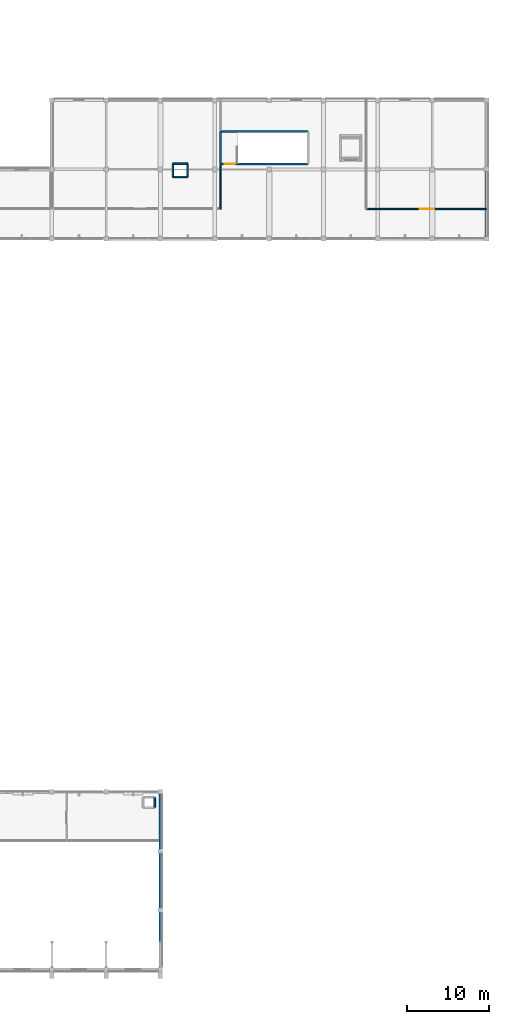
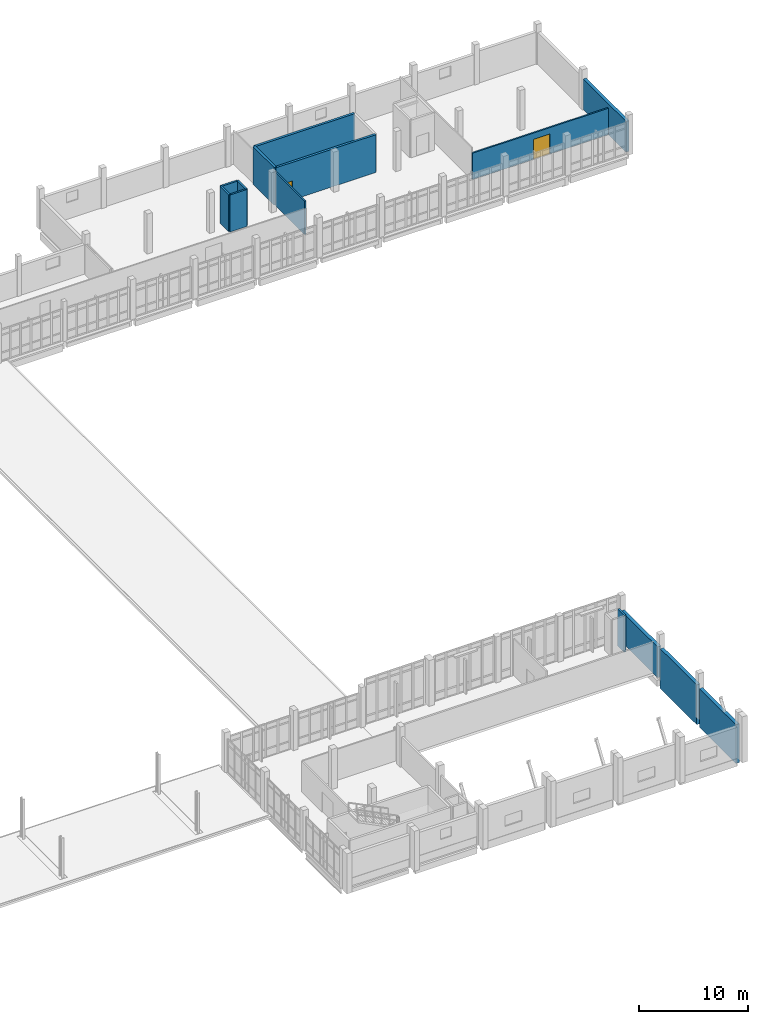
# One storey, part 119 of 134: 14 walls, 2 doors, 2 openings.
"""IFC4 building model written with IfcOpenShell, lengths in metres."""

from ifc_helpers import new_model, si_unit, direction, frame, frame_2d, origin, place, context, subcontext, project, spatial, rectangle, extrude, material, layer, layer_set, type_object, element, fill, save


model = new_model("IFC4")

# Units and contexts
model_context = context("Model", 3, precision=1e-05, world=origin(), true_north=direction((0.0, 1.0)))
body_context = subcontext(model_context, "Body", "Model", "MODEL_VIEW")
ifc_project = project(units=[si_unit("LENGTHUNIT", "METRE"), si_unit("AREAUNIT", "SQUARE_METRE"), si_unit("VOLUMEUNIT", "CUBIC_METRE"), si_unit("PLANEANGLEUNIT", "RADIAN"), si_unit("MASSUNIT", "GRAM", prefix="KILO")], contexts=[model_context])

# Site, building, storey
site_placement = place(None, origin())
site = spatial("IfcSite", under=ifc_project, at=site_placement, CompositionType="ELEMENT")
building_placement = place(site_placement, origin())
building = spatial("IfcBuilding", under=site, at=building_placement, Name="Kalluvel Institute of Natural Sciences", CompositionType="ELEMENT")
storey_placement = place(building_placement, frame((0.0, 0.0, 5.39990234375)))
storey = spatial("IfcBuildingStorey", under=building, at=storey_placement, Name="L01", CompositionType="ELEMENT", Elevation=5.39990234375)

# Wall, opening, door
ifc_material_1 = material(Name="Concrete M40", Category="concrete")
ifc_layer_1 = layer(ifc_material_1, 0.25)
ifc_layer_set_1 = layer_set([ifc_layer_1], Name="Concrete M40")
wall_type_1 = type_object("IfcWallType", Name="WL-CORE-250", PredefinedType="SHEAR", material=ifc_layer_set_1)
wall_1_placement = place(storey_placement, frame((149.68505859375, 111.885009765625, 0.0), z_axis=(0.0, 0.0, 1.0), x_axis=(1.0, 0.0, 0.0)))
wall_1 = element("IfcWall", 1, at=wall_1_placement, inside=storey, type_object=wall_type_1, Name="ST5 L01 core wall S", PredefinedType="SHEAR", context=body_context, shape_type="SweptSolid", body=[
    extrude(rectangle(XDim=10.6298828125, YDim=0.25, at=frame_2d((5.31494140625, 0.0))), origin(), (0.0, 0.0, 1.0), 4.235107421875),
])
opening_1_placement = place(wall_1_placement, frame((0.550048828125, 0.0, 0.0)))
opening_1 = element("IfcOpeningElement", 2, at=opening_1_placement, cuts=wall_1, Name="Opening DS-045", PredefinedType="OPENING", context=body_context, shape_type="SweptSolid", body=[
    extrude(rectangle(XDim=1.199951171875, YDim=2.14990234375, at=frame_2d((0.60009765625, 1.074951171875))), frame((0.0, 0.135009765625, 0.0), z_axis=(0.0, -1.0, 0.0), x_axis=(1.0, 0.0, 0.0)), (0.0, 0.0, 1.0), 0.27001953125),
])
ifc_material_2 = material(Name="Galvanized Fire-Rated Steel", Category="steel")
door_type_1 = type_object("IfcDoorType", Name="DR-ST-1200", OperationType="NOTDEFINED", PredefinedType="DOOR", material=ifc_material_2)
door_1_placement = place(opening_1_placement, origin())
door_1 = element("IfcDoor", 3, at=door_1_placement, inside=storey, type_object=door_type_1, Name="ST5 L01 protected stair door DS-045", OperationType="SINGLE_SWING_LEFT", OverallHeight=2.14990234375, OverallWidth=1.199951171875, PredefinedType="DOOR", context=body_context, shape_type="SweptSolid", body=[
    extrude(rectangle(XDim=1.199951171875, YDim=2.14990234375, at=frame_2d((0.60009765625, 1.074951171875))), frame((0.0, 0.02490234375, 0.0), z_axis=(0.0, -1.0, 0.0), x_axis=(1.0, 0.0, 0.0)), (0.0, 0.0, 1.0), 0.050048828125),
])
fill(opening_1, door_1)

# Walls
wall_2_placement = place(storey_placement, frame((160.31494140625, 115.784912109375, 0.0), z_axis=(0.0, 0.0, 1.0), x_axis=(-1.0, 0.0, 0.0)))
element("IfcWall", 4, at=wall_2_placement, inside=storey, type_object=wall_type_1, Name="ST5 L01 core wall N", PredefinedType="SHEAR", context=body_context, shape_type="SweptSolid", body=[
    extrude(rectangle(XDim=10.6298828125, YDim=0.25, at=frame_2d((5.31494140625, 0.0))), origin(), (0.0, 0.0, 1.0), 4.235107421875),
])
wall_3_placement = place(storey_placement, frame((149.68505859375, 115.784912109375, 0.0), z_axis=(0.0, 0.0, 1.0), x_axis=(0.0, -1.0, 0.0)))
element("IfcWall", 5, at=wall_3_placement, inside=storey, type_object=wall_type_1, Name="ST5 L01 core wall W", PredefinedType="SHEAR", context=body_context, shape_type="SweptSolid", body=[
    extrude(rectangle(XDim=3.89990234375, YDim=0.25, at=frame_2d((1.949951171875, 0.0))), origin(), (0.0, 0.0, 1.0), 4.235107421875),
])
ifc_material_3 = material(Name="Sadarahalli Grey Granite Ashlar Concrete M40", Category="masonry")
ifc_layer_2 = layer(ifc_material_3, 0.320068359375)
ifc_layer_set_2 = layer_set([ifc_layer_2], Name="Sadarahalli Grey Granite Ashlar Concrete M40")
wall_type_2 = type_object("IfcWallType", Name="WL-EXT-320", PredefinedType="SOLIDWALL", material=ifc_layer_set_2)
wall_4_placement = place(storey_placement, frame((182.0, 103.054931640625, 0.0), z_axis=(0.0, 0.0, 1.0), x_axis=(0.0, 1.0, 0.0)))
element("IfcWall", 6, at=wall_4_placement, inside=storey, type_object=wall_type_2, Name="L01 Sadarahalli granite exterior wall WL-EXT-L01-0261", PredefinedType="SOLIDWALL", context=body_context, shape_type="SweptSolid", body=[
    extrude(rectangle(XDim=7.89013671875, YDim=0.320068359375, at=frame_2d((3.945068359375, 0.0))), origin(), (0.0, 0.0, 1.0), 3.455078125),
])
ifc_layer_3 = layer(ifc_material_3, 0.360107421875)
ifc_layer_set_3 = layer_set([ifc_layer_3], Name="Sadarahalli Grey Granite Ashlar Concrete M40")
wall_type_3 = type_object("IfcWallType", Name="WL-EXT-360", PredefinedType="SOLIDWALL", material=ifc_layer_set_3)
wall_5_placement = place(storey_placement, frame((142.39990234375, 14.235107421875, -0.89990234375), z_axis=(0.0, 0.0, 1.0), x_axis=(0.0, 1.0, 0.0)))
element("IfcWall", 7, at=wall_5_placement, inside=storey, type_object=wall_type_3, Name="L01 Sadarahalli granite exterior wall WL-EXT-L01-0277", PredefinedType="SOLIDWALL", context=body_context, shape_type="SweptSolid", body=[
    extrude(rectangle(XDim=6.72998046875, YDim=0.360107421875, at=frame_2d((3.364990234375, 0.0))), origin(), (0.0, 0.0, 1.0), 4.35498046875),
])
wall_6_placement = place(storey_placement, frame((142.39990234375, 21.43505859375, -0.89990234375), z_axis=(0.0, 0.0, 1.0), x_axis=(0.0, 1.0, 0.0)))
element("IfcWall", 8, at=wall_6_placement, inside=storey, type_object=wall_type_3, Name="L01 Sadarahalli granite exterior wall WL-EXT-L01-0278", PredefinedType="SOLIDWALL", context=body_context, shape_type="SweptSolid", body=[
    extrude(rectangle(XDim=6.72998046875, YDim=0.360107421875, at=frame_2d((3.364990234375, 0.0))), origin(), (0.0, 0.0, 1.0), 4.455078125),
])
wall_7_placement = place(storey_placement, frame((142.39990234375, 28.635009765625, 0.0), z_axis=(0.0, 0.0, 1.0), x_axis=(0.0, 1.0, 0.0)))
element("IfcWall", 9, at=wall_7_placement, inside=storey, type_object=wall_type_3, Name="L01 Sadarahalli granite exterior wall WL-EXT-L01-0279", PredefinedType="SOLIDWALL", context=body_context, shape_type="SweptSolid", body=[
    extrude(rectangle(XDim=6.72998046875, YDim=0.360107421875, at=frame_2d((3.364990234375, 0.0))), origin(), (0.0, 0.0, 1.0), 3.455078125),
])

# Wall, opening, door
ifc_material_4 = material(Name="Autoclaved Aerated Concrete Masonry Block", Category="masonry")
ifc_layer_4 = layer(ifc_material_4, 0.159912109375)
ifc_layer_set_4 = layer_set([ifc_layer_4], Name="Autoclaved Aerated Concrete Masonry Block")
wall_type_4 = type_object("IfcWallType", Name="WL-PART-160", PredefinedType="PARTITIONING", material=ifc_layer_set_4)
wall_8_placement = place(storey_placement, frame((167.39990234375, 106.39990234375, 0.0), z_axis=(0.0, 0.0, 1.0), x_axis=(1.0, 0.0, 0.0)))
wall_8 = element("IfcWall", 10, at=wall_8_placement, inside=storey, type_object=wall_type_4, Name="L01 interior partition wall WL-INT-L01-0117", PredefinedType="PARTITIONING", context=body_context, shape_type="SweptSolid", body=[
    extrude(rectangle(XDim=14.60009765625, YDim=0.159912109375, at=frame_2d((7.300048828125, 0.0))), origin(), (0.0, 0.0, 1.0), 2.960205078125),
])
opening_2_placement = place(wall_8_placement, frame((6.5, 0.0, 0.0)))
opening_2 = element("IfcOpeningElement", 11, at=opening_2_placement, cuts=wall_8, Name="Opening D-119", PredefinedType="OPENING", context=body_context, shape_type="SweptSolid", body=[
    extrude(rectangle(XDim=1.75, YDim=2.25, at=frame_2d((0.875, 1.125))), frame((0.0, 0.08984375, 0.0), z_axis=(0.0, -1.0, 0.0), x_axis=(1.0, 0.0, 0.0)), (0.0, 0.0, 1.0), 0.179931640625),
])
ifc_material_5 = material(Name="Aluminium AW-6063 T6", Category="aluminium")
door_type_2 = type_object("IfcDoorType", Name="DR-DBL-1750", OperationType="NOTDEFINED", PredefinedType="DOOR", material=ifc_material_5)
door_2_placement = place(opening_2_placement, origin())
door_2 = element("IfcDoor", 12, at=door_2_placement, inside=storey, type_object=door_type_2, Name="ISO Class 7 Microfluidics and Biosensor Cleanroom door D-119", OperationType="DOUBLE_DOOR_SINGLE_SWING", OverallHeight=2.25, OverallWidth=1.75, PredefinedType="DOOR", context=body_context, shape_type="SweptSolid", body=[
    extrude(rectangle(XDim=1.75, YDim=2.25, at=frame_2d((0.875, 1.125))), frame((0.0, 0.02490234375, 0.0), z_axis=(0.0, -1.0, 0.0), x_axis=(1.0, 0.0, 0.0)), (0.0, 0.0, 1.0), 0.050048828125),
])
fill(opening_2, door_2)

# Walls
wall_9_placement = place(storey_placement, frame((149.699951171875, 106.39990234375, 0.0), z_axis=(0.0, 0.0, 1.0), x_axis=(0.0, 1.0, 0.0)))
element("IfcWall", 13, at=wall_9_placement, inside=storey, type_object=wall_type_4, Name="L01 interior partition wall WL-INT-L01-0120", PredefinedType="PARTITIONING", context=body_context, shape_type="SweptSolid", body=[
    extrude(rectangle(XDim=5.35009765625, YDim=0.159912109375, at=frame_2d((2.675048828125, 0.0))), origin(), (0.0, 0.0, 1.0), 3.760009765625),
])
ifc_layer_5 = layer(ifc_material_1, 0.199951171875)
ifc_layer_set_5 = layer_set([ifc_layer_5], Name="Concrete M40")
wall_type_5 = type_object("IfcWallType", Name="WL-RISER-200", PredefinedType="SHEAR", material=ifc_layer_set_5)
wall_10_placement = place(storey_placement, frame((143.89990234375, 110.300048828125, 0.0), z_axis=(0.0, 0.0, 1.0), x_axis=(1.0, 0.0, 0.0)))
element("IfcWall", 14, at=wall_10_placement, inside=storey, type_object=wall_type_5, Name="RS-CLN L01 service riser enclosure S", PredefinedType="SHEAR", context=body_context, shape_type="SweptSolid", body=[
    extrude(rectangle(XDim=1.800048828125, YDim=0.199951171875, at=frame_2d((0.89990234375, 0.0))), origin(), (0.0, 0.0, 1.0), 4.14013671875),
])
wall_11_placement = place(storey_placement, frame((145.699951171875, 110.300048828125, 0.0), z_axis=(0.0, 0.0, 1.0), x_axis=(0.0, 1.0, 0.0)))
element("IfcWall", 15, at=wall_11_placement, inside=storey, type_object=wall_type_5, Name="RS-CLN L01 service riser enclosure E", PredefinedType="SHEAR", context=body_context, shape_type="SweptSolid", body=[
    extrude(rectangle(XDim=1.599853515625, YDim=0.199951171875, at=frame_2d((0.7998046875, 0.0))), origin(), (0.0, 0.0, 1.0), 4.14013671875),
])
wall_12_placement = place(storey_placement, frame((145.699951171875, 111.89990234375, 0.0), z_axis=(0.0, 0.0, 1.0), x_axis=(-1.0, 0.0, 0.0)))
element("IfcWall", 16, at=wall_12_placement, inside=storey, type_object=wall_type_5, Name="RS-CLN L01 service riser enclosure N", PredefinedType="SHEAR", context=body_context, shape_type="SweptSolid", body=[
    extrude(rectangle(XDim=1.800048828125, YDim=0.199951171875, at=frame_2d((0.89990234375, 0.0))), origin(), (0.0, 0.0, 1.0), 4.14013671875),
])
wall_13_placement = place(storey_placement, frame((143.89990234375, 111.89990234375, 0.0), z_axis=(0.0, 0.0, 1.0), x_axis=(0.0, -1.0, 0.0)))
element("IfcWall", 17, at=wall_13_placement, inside=storey, type_object=wall_type_5, Name="RS-CLN L01 service riser enclosure W", PredefinedType="SHEAR", context=body_context, shape_type="SweptSolid", body=[
    extrude(rectangle(XDim=1.599853515625, YDim=0.199951171875, at=frame_2d((0.7998046875, 0.0))), origin(), (0.0, 0.0, 1.0), 4.14013671875),
])
wall_14_placement = place(storey_placement, frame((141.699951171875, 33.699951171875, 0.0), z_axis=(0.0, 0.0, 1.0), x_axis=(0.0, 1.0, 0.0)))
element("IfcWall", 18, at=wall_14_placement, inside=storey, type_object=wall_type_5, Name="RS-LEC L01 service riser enclosure E", PredefinedType="SHEAR", context=body_context, shape_type="SweptSolid", body=[
    extrude(rectangle(XDim=1.199951171875, YDim=0.199951171875, at=frame_2d((0.60009765625, 0.0))), origin(), (0.0, 0.0, 1.0), 4.14013671875),
])

save(model, "model.ifc")
